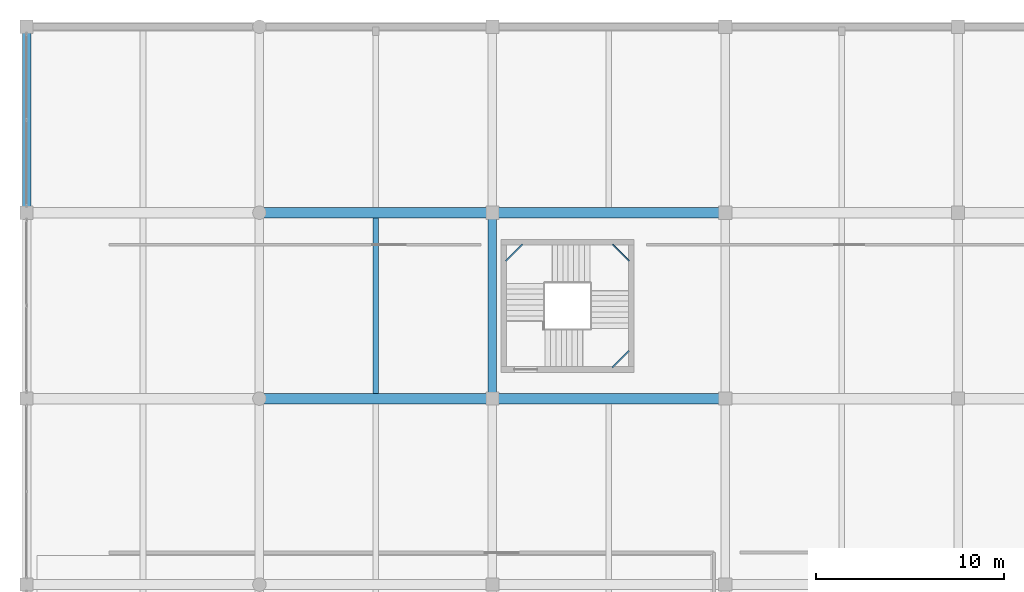
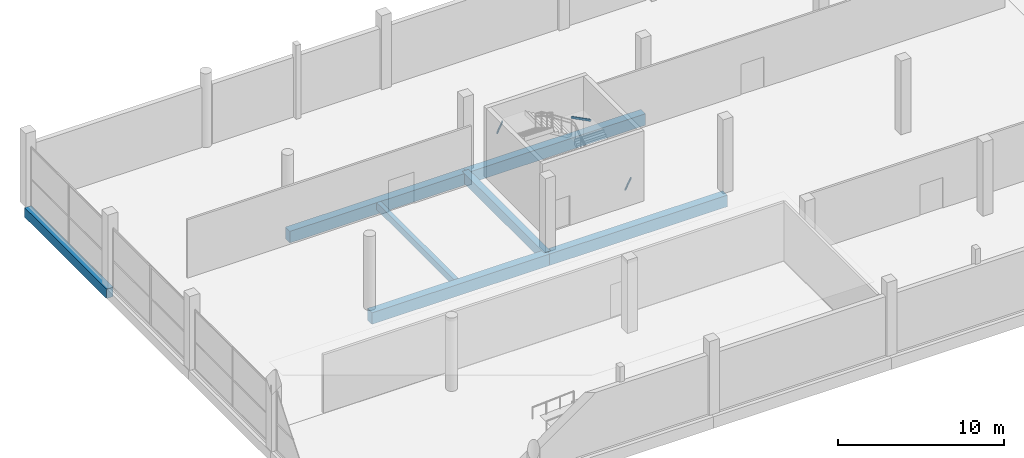
# One storey, part 28 of 74: 10 beams.
"""IFC4 building model written with IfcOpenShell, lengths in metres."""

from ifc_helpers import new_model, si_unit, direction, frame, origin, origin_2d, place, context, subcontext, project, spatial, rectangle, hollow_rectangle, extrude, material, material_profile, profile_set, type_object, element, save


model = new_model("IFC4")

# Units and contexts
model_context = context("Model", 3, precision=1e-05, world=origin(), true_north=direction((0.0, 1.0)))
body_context = subcontext(model_context, "Body", "Model", "MODEL_VIEW")
ifc_project = project(units=[si_unit("LENGTHUNIT", "METRE"), si_unit("AREAUNIT", "SQUARE_METRE"), si_unit("VOLUMEUNIT", "CUBIC_METRE"), si_unit("PLANEANGLEUNIT", "RADIAN"), si_unit("MASSUNIT", "GRAM", prefix="KILO")], contexts=[model_context])

# Site, building, storey
site_placement = place(None, origin())
site = spatial("IfcSite", under=ifc_project, at=site_placement, CompositionType="ELEMENT")
building_placement = place(site_placement, origin())
building = spatial("IfcBuilding", under=site, at=building_placement, Name="Sillaruma Civic Art Gallery", CompositionType="ELEMENT")
storey_placement = place(building_placement, frame((0.0, 0.0, 5.43994140625)))
storey = spatial("IfcBuildingStorey", under=building, at=storey_placement, Name="L01", CompositionType="ELEMENT", Elevation=5.43994140625)

# Beams
ifc_material_1 = material(Name="Concrete H40 (40 MPa)", Category="concrete")
ifc_material_profile_1 = material_profile(ifc_material_1, rectangle(XDim=0.449951171875, YDim=0.75, at=origin_2d()), Name="RCB450x750")
ifc_profile_set_1 = profile_set([ifc_material_profile_1], Name="Concrete H40 (40 MPa)")
beam_type_1 = type_object("IfcBeamType", Name="BM-BEAM-RCB450x750", PredefinedType="BEAM", material=ifc_profile_set_1)
beam_1_placement = place(storey_placement, frame((24.800048828125, 99.0, -0.635009765625), z_axis=(0.0, 1.0, 0.0), x_axis=(-1.0, 0.0, 0.0)))
element("IfcBeam", 1, at=beam_1_placement, inside=storey, type_object=beam_type_1, Name="Beam BM-03 (L00:C:11-12)", PredefinedType="BEAM", context=body_context, shape_type="SweptSolid", body=[
    extrude(rectangle(XDim=0.449951171875, YDim=0.75, at=origin_2d()), origin(), (0.0, 0.0, 1.0), 9.89990234375),
])
ifc_material_profile_2 = material_profile(ifc_material_1, rectangle(XDim=0.550048828125, YDim=0.85009765625, at=origin_2d()), Name="RCB550x850")
ifc_profile_set_2 = profile_set([ifc_material_profile_2], Name="Concrete H40 (40 MPa)")
beam_type_2 = type_object("IfcBeamType", Name="BM-BEAM-RCB550x850", PredefinedType="BEAM", material=ifc_profile_set_2)
beam_2_placement = place(storey_placement, frame((12.39990234375, 99.0, -0.68505859375), z_axis=(1.0, 0.0, 0.0), x_axis=(0.0, 1.0, 0.0)))
element("IfcBeam", 2, at=beam_2_placement, inside=storey, type_object=beam_type_2, Name="Beam BM-01 (L00:11:B-C)", PredefinedType="BEAM", context=body_context, shape_type="SweptSolid", body=[
    extrude(rectangle(XDim=0.550048828125, YDim=0.85009765625, at=origin_2d()), origin(), (0.0, 0.0, 1.0), 12.400146484375),
])
beam_3_placement = place(storey_placement, frame((24.800048828125, 99.0, -0.68505859375), z_axis=(1.0, 0.0, 0.0), x_axis=(0.0, 1.0, 0.0)))
element("IfcBeam", 3, at=beam_3_placement, inside=storey, type_object=beam_type_2, Name="Beam BM-01 (L00:11:C-D)", PredefinedType="BEAM", context=body_context, shape_type="SweptSolid", body=[
    extrude(rectangle(XDim=0.550048828125, YDim=0.85009765625, at=origin_2d()), origin(), (0.0, 0.0, 1.0), 12.39990234375),
])
beam_4_placement = place(storey_placement, frame((12.39990234375, 108.89990234375, -0.68505859375), z_axis=(1.0, 0.0, 0.0), x_axis=(0.0, 1.0, 0.0)))
element("IfcBeam", 4, at=beam_4_placement, inside=storey, type_object=beam_type_2, Name="Beam BM-01 (L00:12:B-C)", PredefinedType="BEAM", context=body_context, shape_type="SweptSolid", body=[
    extrude(rectangle(XDim=0.550048828125, YDim=0.85009765625, at=origin_2d()), origin(), (0.0, 0.0, 1.0), 12.400146484375),
])
beam_5_placement = place(storey_placement, frame((24.800048828125, 108.89990234375, -0.68505859375), z_axis=(1.0, 0.0, 0.0), x_axis=(0.0, 1.0, 0.0)))
element("IfcBeam", 5, at=beam_5_placement, inside=storey, type_object=beam_type_2, Name="Beam BM-01 (L00:12:C-D)", PredefinedType="BEAM", context=body_context, shape_type="SweptSolid", body=[
    extrude(rectangle(XDim=0.550048828125, YDim=0.85009765625, at=origin_2d()), origin(), (0.0, 0.0, 1.0), 12.39990234375),
])
ifc_material_2 = material(Name="Concrete H35 (35 MPa)", Category="concrete")
ifc_material_profile_3 = material_profile(ifc_material_2, rectangle(XDim=0.300048828125, YDim=0.52001953125, at=origin_2d()), Name="RCB300x520")
ifc_profile_set_3 = profile_set([ifc_material_profile_3], Name="Concrete H35 (35 MPa)")
beam_type_3 = type_object("IfcBeamType", Name="BM-JOIST-RCB300x520", PredefinedType="JOIST", material=ifc_profile_set_3)
beam_6_placement = place(storey_placement, frame((18.60009765625, 99.27490234375, -0.52001953125), z_axis=(0.0, 1.0, 0.0), x_axis=(-1.0, 0.0, 0.0)))
element("IfcBeam", 6, at=beam_6_placement, inside=storey, type_object=beam_type_3, Name="Floor Joist JR-01 (L00:BC:11-12)", PredefinedType="JOIST", context=body_context, shape_type="SweptSolid", body=[
    extrude(rectangle(XDim=0.300048828125, YDim=0.52001953125, at=origin_2d()), origin(), (0.0, 0.0, 1.0), 9.35009765625),
])
ifc_material_3 = material(Name="Structural Steel ASTM A500 Gr.C", Category="steel")
ifc_material_profile_4 = material_profile(ifc_material_3, hollow_rectangle(XDim=0.080078125, YDim=0.159912109375, WallThickness=0.008056640625, InnerFilletRadius=0.008056640625, OuterFilletRadius=0.01611328125, at=origin_2d()), Name="HSS160x80x8")
ifc_profile_set_4 = profile_set([ifc_material_profile_4], Name="Structural Steel ASTM A500 Gr.C")
beam_type_4 = type_object("IfcBeamType", Name="BM-LND-HSS160", PredefinedType="BEAM", material=ifc_profile_set_4)
for number, where, z_axis, x_axis, name in (
    (7, (31.18994140625, 100.659912109375, 1.080078125), (0.707106781187, 0.707106781187, 0.0), (-0.707106781187, 0.707106781187, 0.0), "Stair Corner Landing Trimmer Beam (ST-01-L01-1)"),
    (8, (31.18994140625, 107.219970703125, 2.43994140625), (0.707203758046, -0.707009791025, 0.0), (0.707009791025, 0.707203758046, 0.0), "Stair Corner Landing Trimmer Beam (ST-01-L01-2)"),
):
    element("IfcBeam", number, at=place(storey_placement, frame(where, z_axis=z_axis, x_axis=x_axis)), inside=storey, type_object=beam_type_4, Name=name, PredefinedType="BEAM", context=body_context, shape_type="SweptSolid", body=[
        extrude(hollow_rectangle(XDim=0.080078125, YDim=0.159912109375, WallThickness=0.008056640625, InnerFilletRadius=0.008056640625, OuterFilletRadius=0.01611328125, at=origin_2d()), origin(), (0.0, 0.0, 1.0), 1.2587890625),
    ])
beam_7_placement = place(storey_placement, frame((25.52001953125, 106.330078125, 3.800048828125), z_axis=(0.707106781187, 0.707106781187, 0.0), x_axis=(-0.707106781187, 0.707106781187, 0.0)))
element("IfcBeam", 9, at=beam_7_placement, inside=storey, type_object=beam_type_4, Name="Stair Corner Landing Trimmer Beam (ST-01-L01-3)", PredefinedType="BEAM", context=body_context, shape_type="SweptSolid", body=[
    extrude(hollow_rectangle(XDim=0.080078125, YDim=0.159912109375, WallThickness=0.008056640625, InnerFilletRadius=0.008056640625, OuterFilletRadius=0.01611328125, at=origin_2d()), origin(), (0.0, 0.0, 1.0), 1.258544921875),
])
ifc_material_profile_5 = material_profile(ifc_material_2, rectangle(XDim=0.449951171875, YDim=0.699951171875, at=origin_2d()), Name="RCB450x700")
ifc_profile_set_5 = profile_set([ifc_material_profile_5], Name="Concrete H35 (35 MPa)")
beam_type_5 = type_object("IfcBeamType", Name="BM-SPANDREL-RCB450x700", PredefinedType="SPANDREL", material=ifc_profile_set_5)
beam_8_placement = place(storey_placement, frame((0.0, 108.89990234375, -0.60986328125), z_axis=(0.0, 1.0, 0.0), x_axis=(-1.0, 0.0, 0.0)))
element("IfcBeam", 10, at=beam_8_placement, inside=storey, type_object=beam_type_5, Name="Beam BS-03 (L00:A:12-13)", PredefinedType="SPANDREL", context=body_context, shape_type="SweptSolid", body=[
    extrude(rectangle(XDim=0.449951171875, YDim=0.699951171875, at=origin_2d()), origin(), (0.0, 0.0, 1.0), 9.900146484375),
])

save(model, "model.ifc")
